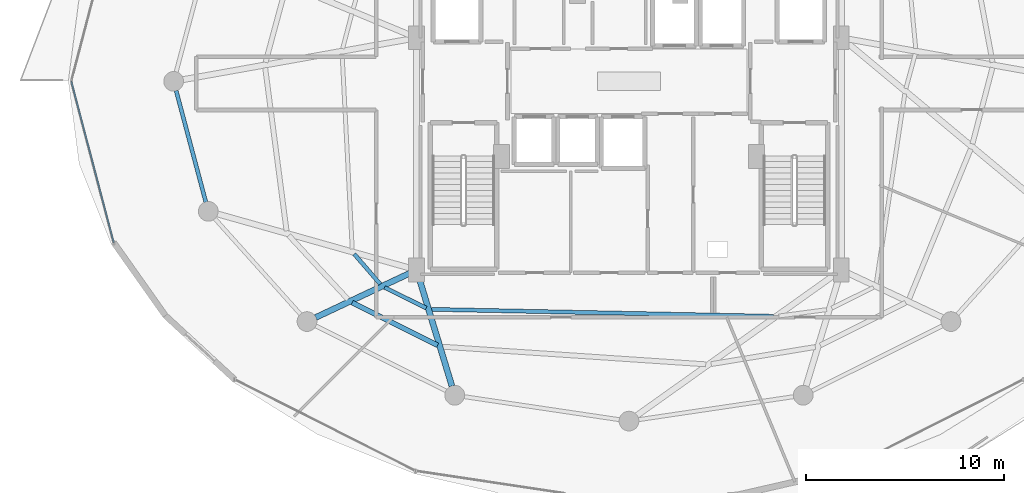
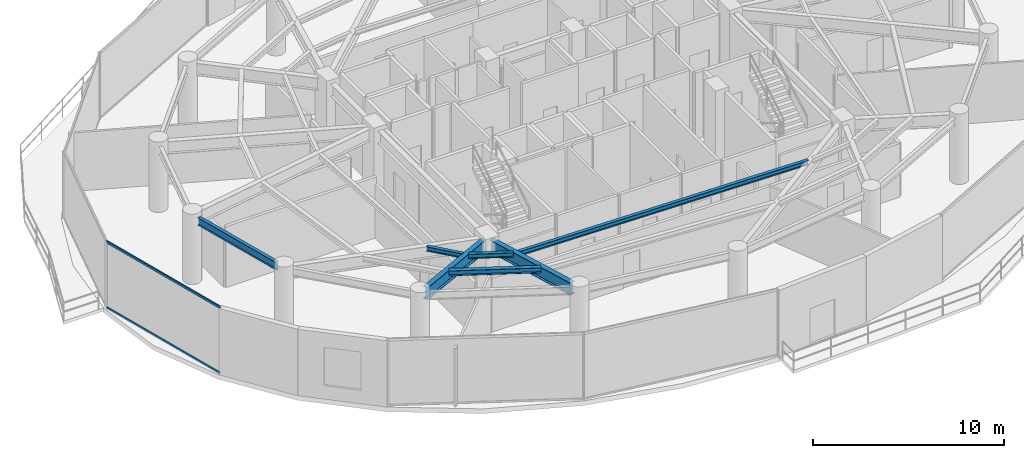
# One storey, part 6 of 31: 7 beams, 2 members, 1 element without a shape of its own.
"""IFC4 building model written with IfcOpenShell, lengths in metres."""

from ifc_helpers import new_model, si_unit, direction, frame, origin, origin_2d, place, context, subcontext, project, spatial, hollow_rectangle, i_section, extrude, material, material_profile, profile_set, type_object, element, aggregate, save


model = new_model("IFC4")

# Units and contexts
model_context = context("Model", 3, precision=1e-05, world=origin(), true_north=direction((0.0, 1.0)))
body_context = subcontext(model_context, "Body", "Model", "MODEL_VIEW")
ifc_project = project(units=[si_unit("LENGTHUNIT", "METRE"), si_unit("AREAUNIT", "SQUARE_METRE"), si_unit("VOLUMEUNIT", "CUBIC_METRE"), si_unit("PLANEANGLEUNIT", "RADIAN"), si_unit("MASSUNIT", "GRAM", prefix="KILO")], contexts=[model_context])

# Site, building, storey
site_placement = place(None, origin())
site = spatial("IfcSite", under=ifc_project, at=site_placement, CompositionType="ELEMENT")
building_placement = place(site_placement, origin())
building = spatial("IfcBuilding", under=site, at=building_placement, Name="Vorneva Point Tower", CompositionType="ELEMENT")
storey_placement = place(building_placement, frame((0.0, 0.0, 174.60009765625)))
storey = spatial("IfcBuildingStorey", under=building, at=storey_placement, Name="L47", CompositionType="ELEMENT", Elevation=174.60009765625)

# Beams
ifc_material_1 = material(Name="Steel S355", Category="steel")
ifc_material_profile_1 = material_profile(ifc_material_1, i_section(OverallWidth=0.300048828125, OverallDepth=0.7880859375, WebThickness=0.014404296875, FlangeThickness=0.02197265625, at=origin_2d()), Name="80Sh1")
ifc_profile_set_1 = profile_set([ifc_material_profile_1], Name="Steel S355")
beam_type_1 = type_object("IfcBeamType", Name="BM-GRD-80Sh1", PredefinedType="USERDEFINED", material=ifc_profile_set_1)
beam_1_placement = place(storey_placement, frame((22.142578125, 14.045654296875, 3.845947265625), z_axis=(0.904761331435, 0.425918927896, 0.0), x_axis=(-0.425918927896, 0.904761331435, 0.0)))
element("IfcBeam", 1, at=beam_1_placement, inside=storey, type_object=beam_type_1, Name="L47 Radial Primary Girder 11", ObjectType="GIRDER", PredefinedType="USERDEFINED", context=body_context, shape_type="SweptSolid", body=[
    extrude(i_section(OverallWidth=0.300048828125, OverallDepth=0.7880859375, WebThickness=0.014404296875, FlangeThickness=0.02197265625, at=origin_2d()), origin(), (0.0, 0.0, 1.0), 5.304931640625),
])
beam_2_placement = place(storey_placement, frame((29.037109375, 10.576171875, 3.845947265625), z_axis=(-0.291049382966, 0.95670803105, 0.0), x_axis=(-0.95670803105, -0.291049382966, 0.0)))
element("IfcBeam", 2, at=beam_2_placement, inside=storey, type_object=beam_type_1, Name="L47 Radial Primary Girder 12", ObjectType="GIRDER", PredefinedType="USERDEFINED", context=body_context, shape_type="SweptSolid", body=[
    extrude(i_section(OverallWidth=0.300048828125, OverallDepth=0.7880859375, WebThickness=0.014404296875, FlangeThickness=0.02197265625, at=origin_2d()), origin(), (0.0, 0.0, 1.0), 5.799560546875),
])
ifc_material_profile_2 = material_profile(ifc_material_1, i_section(OverallWidth=0.199951171875, OverallDepth=0.291015625, WebThickness=0.008056640625, FlangeThickness=0.010986328125, at=origin_2d()), Name="30Sh1")
ifc_profile_set_2 = profile_set([ifc_material_profile_2], Name="Steel S355")
beam_type_2 = type_object("IfcBeamType", Name="BM-SEC-30Sh1", PredefinedType="BEAM", material=ifc_profile_set_2)
beam_3_placement = place(storey_placement, frame((24.08837890625, 17.2607421875, 4.094482421875), z_axis=(0.654521417916, -0.756043460053, 0.0), x_axis=(0.756043460053, 0.654521417916, 0.0)))
element("IfcBeam", 3, at=beam_3_placement, inside=storey, type_object=beam_type_2, Name="L47 Secondary Floor Beam 2.10", PredefinedType="BEAM", context=body_context, shape_type="SweptSolid", body=[
    extrude(i_section(OverallWidth=0.199951171875, OverallDepth=0.291015625, WebThickness=0.008056640625, FlangeThickness=0.010986328125, at=origin_2d()), origin(), (0.0, 0.0, 1.0), 2.0224609375),
])
beam_4_placement = place(storey_placement, frame((25.626220703125, 15.56591796875, 4.094482421875), z_axis=(0.895835455774, -0.444385909068, 0.0), x_axis=(0.444385909068, 0.895835455774, 0.0)))
element("IfcBeam", 4, at=beam_4_placement, inside=storey, type_object=beam_type_2, Name="L47 Secondary Floor Beam 2.11", PredefinedType="BEAM", context=body_context, shape_type="SweptSolid", body=[
    extrude(i_section(OverallWidth=0.199951171875, OverallDepth=0.291015625, WebThickness=0.008056640625, FlangeThickness=0.010986328125, at=origin_2d()), origin(), (0.0, 0.0, 1.0), 2.350341796875),
])
beam_5_placement = place(storey_placement, frame((27.993408203125, 14.457275390625, 4.094482421875), z_axis=(0.999792890829, -0.020351300897, 0.0), x_axis=(0.020351300897, 0.999792890829, 0.0)))
element("IfcBeam", 5, at=beam_5_placement, inside=storey, type_object=beam_type_2, Name="L47 Secondary Floor Beam 2.12", PredefinedType="BEAM", context=body_context, shape_type="SweptSolid", body=[
    extrude(i_section(OverallWidth=0.199951171875, OverallDepth=0.291015625, WebThickness=0.008056640625, FlangeThickness=0.010986328125, at=origin_2d()), origin(), (0.0, 0.0, 1.0), 17.32275390625),
])
ifc_material_profile_3 = material_profile(ifc_material_1, i_section(OverallWidth=0.2490234375, OverallDepth=0.333984375, WebThickness=0.008056640625, FlangeThickness=0.010986328125, at=origin_2d()), Name="35Sh1")
ifc_profile_set_3 = profile_set([ifc_material_profile_3], Name="Steel S355")
beam_type_3 = type_object("IfcBeamType", Name="BM-SEC-35Sh1", PredefinedType="BEAM", material=ifc_profile_set_3)
beam_6_placement = place(storey_placement, frame((23.993896484375, 14.79736328125, 4.072998046875), z_axis=(0.893940770693, -0.448185116322, 0.0), x_axis=(0.448185116322, 0.893940770693, 0.0)))
element("IfcBeam", 6, at=beam_6_placement, inside=storey, type_object=beam_type_3, Name="L47 Secondary Floor Beam 1.11", PredefinedType="BEAM", context=body_context, shape_type="SweptSolid", body=[
    extrude(i_section(OverallWidth=0.2490234375, OverallDepth=0.333984375, WebThickness=0.008056640625, FlangeThickness=0.010986328125, at=origin_2d()), origin(), (0.0, 0.0, 1.0), 4.823486328125),
])
ifc_material_profile_4 = material_profile(ifc_material_1, i_section(OverallWidth=0.199951171875, OverallDepth=0.491943359375, WebThickness=0.0087890625, FlangeThickness=0.011962890625, at=origin_2d()), Name="50B1")
ifc_profile_set_4 = profile_set([ifc_material_profile_4], Name="Steel S355")
beam_type_4 = type_object("IfcBeamType", Name="BM-SPN-50B1", PredefinedType="SPANDREL", material=ifc_profile_set_4)
beam_7_placement = place(storey_placement, frame((15.074951171875, 25.531494140625, 3.993896484375), z_axis=(0.257550804648, -0.966264758245, 0.0), x_axis=(0.966264758245, 0.257550804648, 0.0)))
element("IfcBeam", 7, at=beam_7_placement, inside=storey, type_object=beam_type_4, Name="L47 Perimeter Spandrel Ring Beam 09", PredefinedType="SPANDREL", context=body_context, shape_type="SweptSolid", body=[
    extrude(i_section(OverallWidth=0.199951171875, OverallDepth=0.491943359375, WebThickness=0.0087890625, FlangeThickness=0.011962890625, at=origin_2d()), origin(), (0.0, 0.0, 1.0), 5.842041015625),
])

# Curtain wall, members
ifc_material_2 = material(Name="Pale anodised aluminium", Category="aluminium")
curtain_wall_type = type_object("IfcCurtainWallType", Name="CW-SKY-SYS", PredefinedType="NOTDEFINED", material=ifc_material_2)
curtain_wall_placement = place(storey_placement, origin())
curtain_wall = element("IfcCurtainWall", 8, at=curtain_wall_placement, inside=storey, type_object=curtain_wall_type, Name="L47 Unitised Curtain Wall CW-L47-R03", PredefinedType="NOTDEFINED")
ifc_material_profile_5 = material_profile(ifc_material_2, hollow_rectangle(XDim=0.074951171875, YDim=0.14990234375, WallThickness=0.00390625, at=origin_2d()), Name="AL-TRN 150x75x4")
ifc_profile_set_5 = profile_set([ifc_material_profile_5], Name="Pale anodised aluminium")
member_type = type_object("IfcMemberType", Name="CW-TRN-150", PredefinedType="USERDEFINED", material=ifc_profile_set_5)
member_1_placement = place(storey_placement, frame((9.77001953125, 26.0, 0.02001953125), z_axis=(0.254362431281, -0.967108966742, 0.0), x_axis=(0.967108966742, 0.254362431281, 0.0)))
member_1 = element("IfcMember", 9, at=member_1_placement, type_object=member_type, Name="CW-L47-R03 Transom 04.1", ObjectType="TRANSOM", PredefinedType="USERDEFINED", context=body_context, shape_type="SweptSolid", body=[
    extrude(hollow_rectangle(XDim=0.074951171875, YDim=0.14990234375, WallThickness=0.00390625, at=origin_2d()), origin(), (0.0, 0.0, 1.0), 8.4482421875),
])
member_2_placement = place(storey_placement, frame((9.77001953125, 26.0, 4.219970703125), z_axis=(0.254362431281, -0.967108966742, 0.0), x_axis=(0.967108966742, 0.254362431281, 0.0)))
member_2 = element("IfcMember", 10, at=member_2_placement, type_object=member_type, Name="CW-L47-R03 Transom 04.2", ObjectType="TRANSOM", PredefinedType="USERDEFINED", context=body_context, shape_type="SweptSolid", body=[
    extrude(hollow_rectangle(XDim=0.074951171875, YDim=0.14990234375, WallThickness=0.00390625, at=origin_2d()), origin(), (0.0, 0.0, 1.0), 8.4482421875),
])
aggregate(curtain_wall, [member_1, member_2])

save(model, "model.ifc")
